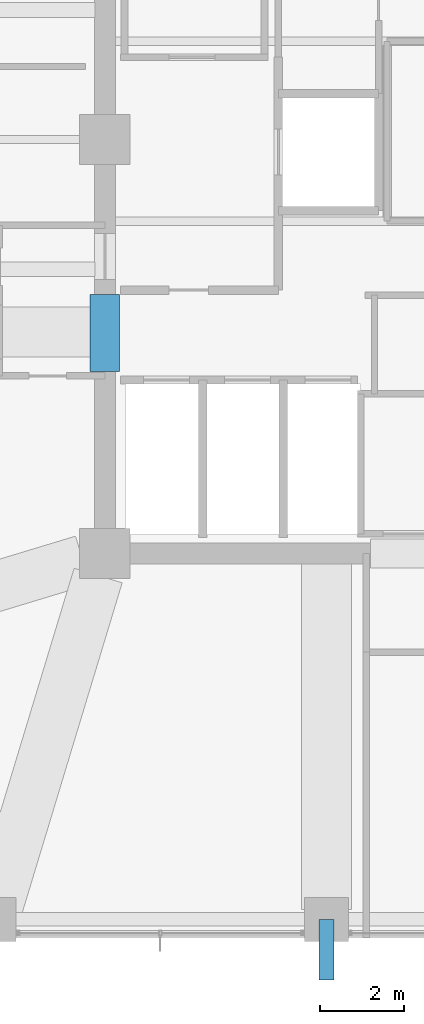
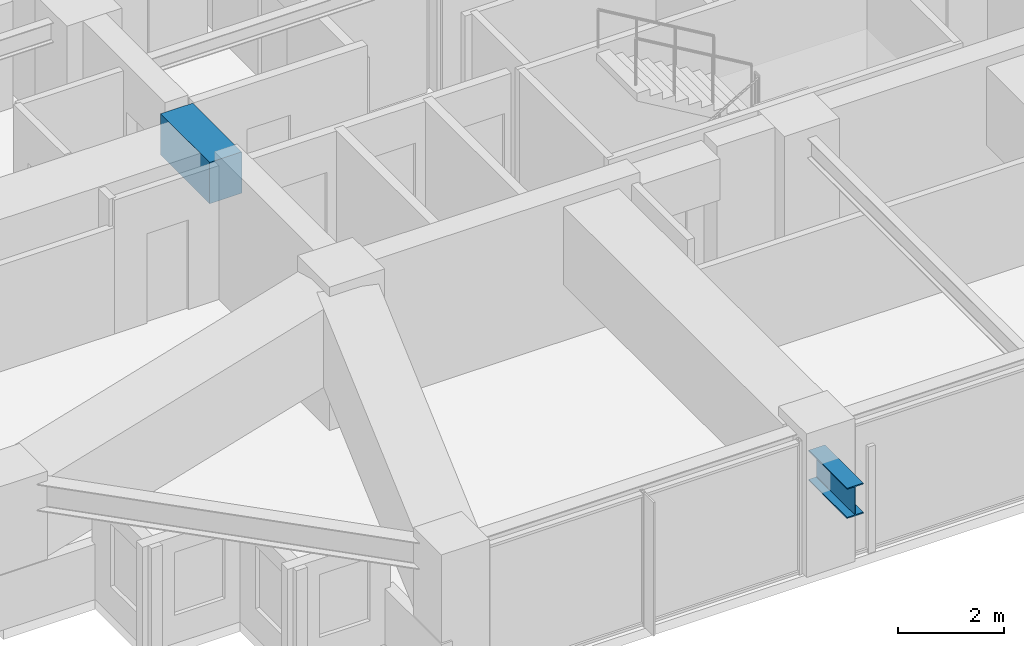
# One storey, part 5 of 36: 2 beams.
"""IFC4 building model written with IfcOpenShell, lengths in metres."""

from ifc_helpers import new_model, si_unit, direction, frame, origin, origin_2d, place, context, subcontext, project, spatial, rectangle, i_section, extrude, material, material_profile, profile_set, type_object, element, save


model = new_model("IFC4")

# Units and contexts
model_context = context("Model", 3, precision=1e-05, world=origin(), true_north=direction((0.0, 1.0)))
body_context = subcontext(model_context, "Body", "Model", "MODEL_VIEW")
ifc_project = project(units=[si_unit("LENGTHUNIT", "METRE"), si_unit("AREAUNIT", "SQUARE_METRE"), si_unit("VOLUMEUNIT", "CUBIC_METRE"), si_unit("PLANEANGLEUNIT", "RADIAN"), si_unit("MASSUNIT", "GRAM", prefix="KILO")], contexts=[model_context])

# Site, building, storey
site_placement = place(None, origin())
site = spatial("IfcSite", under=ifc_project, at=site_placement, CompositionType="ELEMENT")
building_placement = place(site_placement, origin())
building = spatial("IfcBuilding", under=site, at=building_placement, Name="Kolvaren Belvedere", CompositionType="ELEMENT")
storey_placement = place(building_placement, frame((0.0, 0.0, 108.5)))
storey = spatial("IfcBuildingStorey", under=building, at=storey_placement, Name="L31", CompositionType="ELEMENT", Elevation=108.5)

# Beams
ifc_material_1 = material(Name="Structural steel ASTM A992 Grade 50", Category="steel")
ifc_material_profile_1 = material_profile(ifc_material_1, i_section(OverallWidth=0.35498046875, OverallDepth=0.696044921875, WebThickness=0.015380859375, FlangeThickness=0.02490234375, FilletRadius=0.02197265625, at=origin_2d()), Name="W27X146")
ifc_profile_set_1 = profile_set([ifc_material_profile_1], Name="Structural steel ASTM A992 Grade 50")
beam_type_1 = type_object("IfcBeamType", Name="BM-CANT-BAL", PredefinedType="BEAM", material=ifc_profile_set_1)
beam_1_placement = place(storey_placement, frame((-4.60009765625, -18.64990234375, 2.14208984375), z_axis=(0.0, -1.0, 0.0), x_axis=(1.0, 0.0, 0.0)))
element("IfcBeam", 1, at=beam_1_placement, inside=storey, type_object=beam_type_1, Name="L31 South Picture-Frame Column Corbel M", PredefinedType="BEAM", context=body_context, shape_type="SweptSolid", body=[
    extrude(i_section(OverallWidth=0.35498046875, OverallDepth=0.696044921875, WebThickness=0.015380859375, FlangeThickness=0.02490234375, FilletRadius=0.02197265625, at=origin_2d()), origin(), (0.0, 0.0, 1.0), 1.4501953125),
])
ifc_material_2 = material(Name="Concrete C60/75", Category="concrete")
ifc_material_profile_2 = material_profile(ifc_material_2, rectangle(XDim=0.699951171875, YDim=0.949951171875, at=origin_2d()), Name="RC 700X950")
ifc_profile_set_2 = profile_set([ifc_material_profile_2], Name="Concrete C60/75")
beam_type_2 = type_object("IfcBeamType", Name="BM-LINT-950", PredefinedType="LINTEL", material=ifc_profile_set_2)
beam_2_placement = place(storey_placement, frame((-9.89990234375, -5.550048828125, 2.60498046875), z_axis=(0.0, 1.0, 0.0), x_axis=(-1.0, 0.0, 0.0)))
element("IfcBeam", 2, at=beam_2_placement, inside=storey, type_object=beam_type_2, Name="L31 West Core Coupling Lintel", PredefinedType="LINTEL", context=body_context, shape_type="SweptSolid", body=[
    extrude(rectangle(XDim=0.699951171875, YDim=0.949951171875, at=origin_2d()), origin(), (0.0, 0.0, 1.0), 1.85009765625),
])

save(model, "model.ifc")
